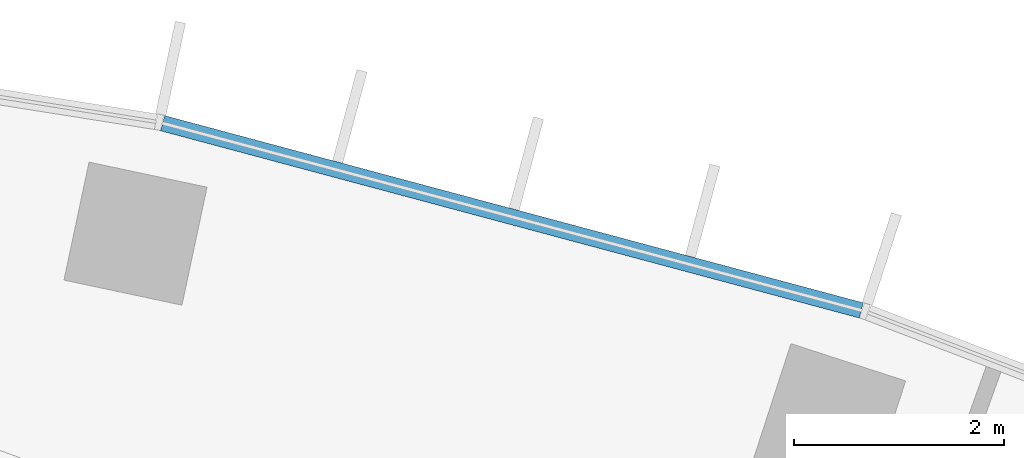
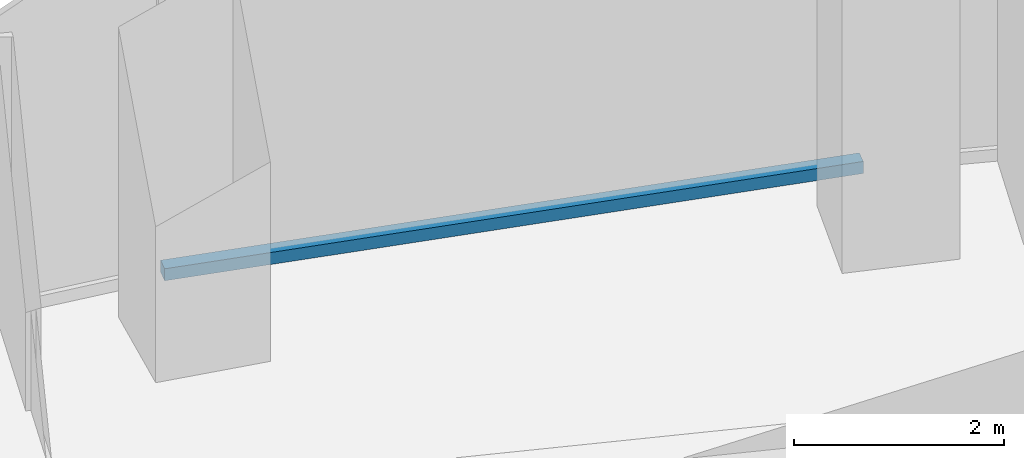
# One storey, part 8 of 22: 1 member, 1 element without a shape of its own.
"""IFC4 building model written with IfcOpenShell, lengths in metres."""

from ifc_helpers import new_model, si_unit, direction, frame, origin, origin_2d, place, context, subcontext, project, spatial, rectangle, extrude, material, layer, layer_set, material_profile, profile_set, type_object, element, aggregate, save


model = new_model("IFC4")

# Units and contexts
model_context = context("Model", 3, precision=1e-05, world=origin(), true_north=direction((0.0, 1.0)))
body_context = subcontext(model_context, "Body", "Model", "MODEL_VIEW")
ifc_project = project(units=[si_unit("LENGTHUNIT", "METRE"), si_unit("AREAUNIT", "SQUARE_METRE"), si_unit("VOLUMEUNIT", "CUBIC_METRE"), si_unit("PLANEANGLEUNIT", "RADIAN"), si_unit("MASSUNIT", "GRAM", prefix="KILO")], contexts=[model_context])

# Site, building, storey
site_placement = place(None, origin())
site = spatial("IfcSite", under=ifc_project, at=site_placement, CompositionType="ELEMENT")
building_placement = place(site_placement, origin())
building = spatial("IfcBuilding", under=site, at=building_placement, Name="Stone Belt Terrace Tower", CompositionType="ELEMENT")
storey_placement = place(building_placement, frame((0.0, 0.0, 132.60009765625)))
storey = spatial("IfcBuildingStorey", under=building, at=storey_placement, Name="L32", CompositionType="ELEMENT", Elevation=132.60009765625)

# Curtain wall, member
ifc_material = material(Name="Aluminium 6063-T6 anodised frame", Category="aluminium")
ifc_layer = layer(ifc_material, 0.14990234375)
ifc_layer_set = layer_set([ifc_layer], Name="CW-A unitised convex-face curtain wall")
curtain_wall_type = type_object("IfcCurtainWallType", Name="CW-A unitised convex-face curtain wall", PredefinedType="NOTDEFINED", material=ifc_layer_set)
curtain_wall_placement = place(storey_placement, origin())
curtain_wall = element("IfcCurtainWall", 1, at=curtain_wall_placement, inside=storey, type_object=curtain_wall_type, Name="CW-A convex face L32", PredefinedType="NOTDEFINED")
ifc_material_profile = material_profile(ifc_material, rectangle(XDim=0.14990234375, YDim=0.139892578125, at=origin_2d()), Name="Aluminium 6063-T6 150x140")
ifc_profile_set = profile_set([ifc_material_profile], Name="Aluminium 6063-T6 anodised frame")
member_type = type_object("IfcMemberType", Name="CW-A transom 140 x 150", PredefinedType="USERDEFINED", material=ifc_profile_set)
member_placement = place(storey_placement, frame((20.5400390625, 63.325439453125, 0.06982421875), z_axis=(-0.965921835863, 0.258833937117, 0.0), x_axis=(-0.258833937117, -0.965921835863, 0.0)))
member = element("IfcMember", 2, at=member_placement, type_object=member_type, Name="CW-A transom 7.1", ObjectType="TRANSOM", PredefinedType="USERDEFINED", context=body_context, shape_type="SweptSolid", body=[
    extrude(rectangle(XDim=0.14990234375, YDim=0.139892578125, at=origin_2d()), origin(), (0.0, 0.0, 1.0), 6.900634765625),
])
aggregate(curtain_wall, [member])

save(model, "model.ifc")
